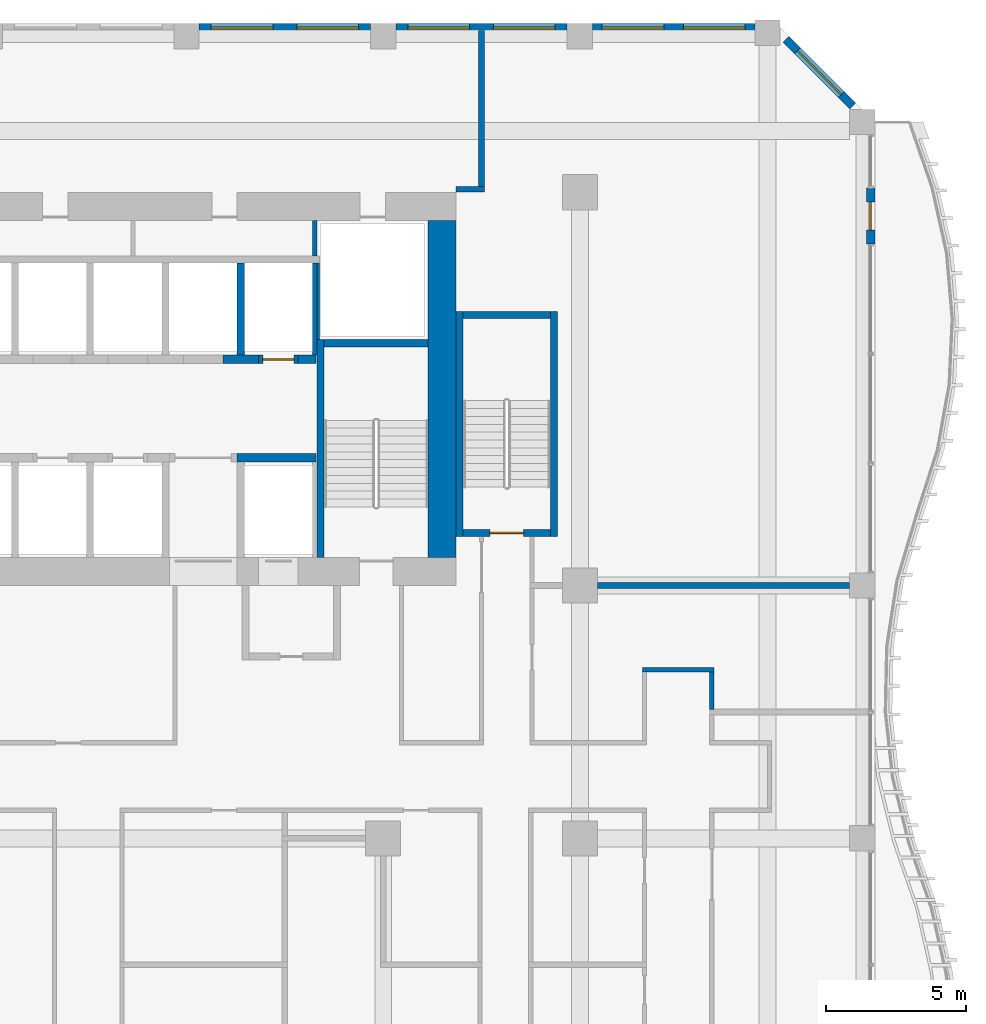
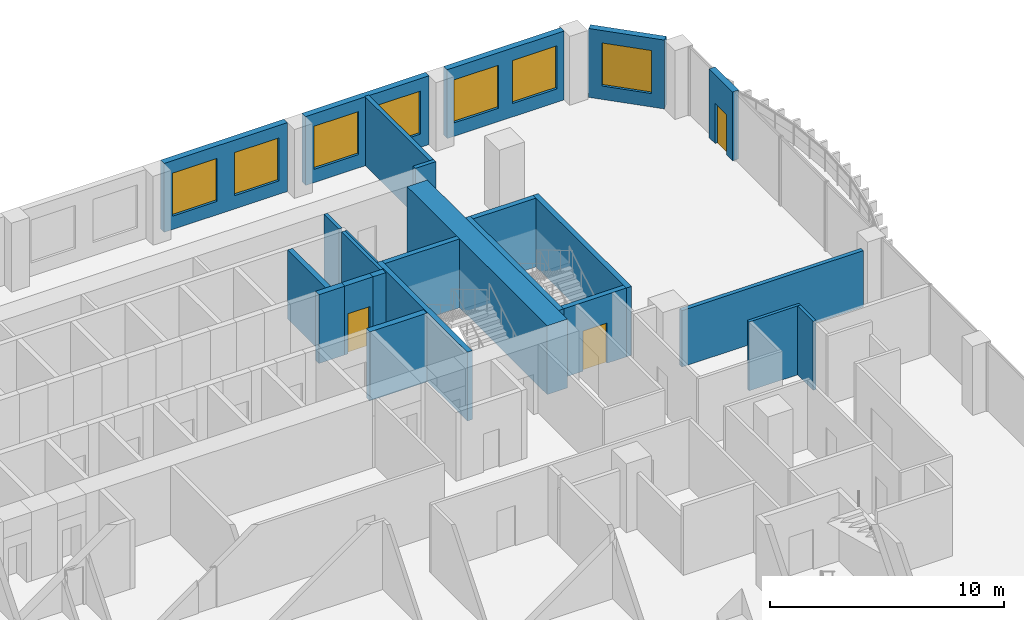
# One storey, part 17 of 21: 25 walls, 7 windows, 3 doors, 10 openings.
"""IFC4 building model written with IfcOpenShell, lengths in metres."""

from ifc_helpers import new_model, si_unit, direction, frame, frame_2d, origin, place, context, subcontext, project, spatial, rectangle, extrude, source, transform, mapped, material, layer, layer_set, type_object, element, fill, save


model = new_model("IFC4")

# Units and contexts
model_context = context("Model", 3, precision=1e-05, world=origin(), true_north=direction((0.0, 1.0)))
body_context = subcontext(model_context, "Body", "Model", "MODEL_VIEW")
ifc_project = project(units=[si_unit("LENGTHUNIT", "METRE"), si_unit("AREAUNIT", "SQUARE_METRE"), si_unit("VOLUMEUNIT", "CUBIC_METRE"), si_unit("PLANEANGLEUNIT", "RADIAN"), si_unit("MASSUNIT", "GRAM", prefix="KILO")], contexts=[model_context])

# Site, building, storey
site_placement = place(None, origin())
site = spatial("IfcSite", under=ifc_project, at=site_placement, CompositionType="ELEMENT")
building_placement = place(site_placement, origin())
building = spatial("IfcBuilding", under=site, at=building_placement, Name="Kilnfold Tower and Market Hall", CompositionType="ELEMENT")
storey_placement = place(building_placement, frame((0.0, 0.0, 91.199951171875)))
storey = spatial("IfcBuildingStorey", under=building, at=storey_placement, Name="L21", CompositionType="ELEMENT", Elevation=91.199951171875)

# Walls
ifc_material_1 = material(Name="Gypsum board on steel studs", Category="steel")
ifc_layer_1 = layer(ifc_material_1, 0.14990234375)
ifc_layer_set_1 = layer_set([ifc_layer_1], Name="Gypsum board on steel studs")
wall_type_1 = type_object("IfcWallType", Name="WALL CORRIDOR 150", PredefinedType="PARTITIONING", material=ifc_layer_set_1)
wall_1_placement = place(storey_placement, frame((27.27490234375, 5.0, 0.0), z_axis=(0.0, 0.0, 1.0), x_axis=(-1.0, 0.0, 0.0)))
element("IfcWall", 1, at=wall_1_placement, inside=storey, type_object=wall_type_1, Name="Partition LY14.38", PredefinedType="PARTITIONING", context=body_context, shape_type="SweptSolid", body=[
    extrude(rectangle(XDim=2.5498046875, YDim=0.14990234375, at=frame_2d((1.27490234375, 0.0))), origin(), (0.0, 0.0, 1.0), 3.60009765625),
])
wall_2_placement = place(storey_placement, frame((27.199951171875, 3.590087890625, 0.0), z_axis=(0.0, 0.0, 1.0), x_axis=(0.0, 1.0, 0.0)))
element("IfcWall", 2, at=wall_2_placement, inside=storey, type_object=wall_type_1, Name="Partition LY14.39", PredefinedType="PARTITIONING", context=body_context, shape_type="SweptSolid", body=[
    extrude(rectangle(XDim=1.3349609375, YDim=0.14990234375, at=frame_2d((0.66748046875, 0.0))), origin(), (0.0, 0.0, 1.0), 3.60009765625),
])
ifc_material_2 = material(Name="Gypsum board on steel studs", Category="steel")
ifc_layer_2 = layer(ifc_material_2, 0.199951171875)
ifc_layer_set_2 = layer_set([ifc_layer_2], Name="Gypsum board on steel studs")
wall_type_2 = type_object("IfcWallType", Name="WALL PARTY 200", PredefinedType="PARTITIONING", material=ifc_layer_set_2)
wall_3_placement = place(storey_placement, frame((19.0, 22.199951171875, 0.0), z_axis=(0.0, 0.0, 1.0), x_axis=(0.0, 1.0, 0.0)))
element("IfcWall", 3, at=wall_3_placement, inside=storey, type_object=wall_type_2, Name="Partition LY14.54", PredefinedType="PARTITIONING", context=body_context, shape_type="SweptSolid", body=[
    extrude(rectangle(XDim=5.550048828125, YDim=0.199951171875, at=frame_2d((2.77490234375, 0.0))), origin(), (0.0, 0.0, 1.0), 3.60009765625),
])
wall_4_placement = place(storey_placement, frame((18.090087890625, 22.10009765625, 0.0), z_axis=(0.0, 0.0, 1.0), x_axis=(1.0, 0.0, 0.0)))
element("IfcWall", 4, at=wall_4_placement, inside=storey, type_object=wall_type_2, Name="Partition LY14.55", PredefinedType="PARTITIONING", context=body_context, shape_type="SweptSolid", body=[
    extrude(rectangle(XDim=1.010009765625, YDim=0.199951171875, at=frame_2d((0.5048828125, 0.0))), origin(), (0.0, 0.0, 1.0), 3.60009765625),
])
wall_5_placement = place(storey_placement, frame((23.125, 8.0, 0.0), z_axis=(0.0, 0.0, 1.0), x_axis=(1.0, 0.0, 0.0)))
element("IfcWall", 5, at=wall_5_placement, inside=storey, type_object=wall_type_2, Name="Partition LY14.74", PredefinedType="PARTITIONING", context=body_context, shape_type="SweptSolid", body=[
    extrude(rectangle(XDim=8.97509765625, YDim=0.199951171875, at=frame_2d((4.487548828125, 0.0))), origin(), (0.0, 0.0, 1.0), 2.949951171875),
])
ifc_material_3 = material(Name="Concrete C80", Category="concrete")
ifc_layer_3 = layer(ifc_material_3, 1.0)
ifc_layer_set_3 = layer_set([ifc_layer_3], Name="Concrete C80")
wall_type_3 = type_object("IfcWallType", Name="CORE WALL 1000 C80", PredefinedType="SHEAR", material=ifc_layer_set_3)
shared_shape_1 = source(origin(), body_context, "Body", "SweptSolid", [
    extrude(rectangle(XDim=12.0, YDim=1.0, at=frame_2d((6.0, 0.0))), origin(), (0.0, 0.0, 1.0), 3.60009765625),
])
wall_6_placement = place(storey_placement, frame((17.60009765625, 9.0, 0.0), z_axis=(0.0, 0.0, 1.0), x_axis=(0.0, 1.0, 0.0)))
element("IfcWall", 6, at=wall_6_placement, inside=storey, type_object=wall_type_3, Name="Core outer wall east", PredefinedType="SHEAR", context=body_context, shape_type="MappedRepresentation", body=[
    mapped(shared_shape_1, transform((0.0, 0.0, 0.0))),
])
ifc_material_4 = material(Name="Concrete C80", Category="concrete")
ifc_layer_4 = layer(ifc_material_4, 0.25)
ifc_layer_set_4 = layer_set([ifc_layer_4], Name="Concrete C80")
wall_type_4 = type_object("IfcWallType", Name="CORE WALL 250 C80", PredefinedType="SHEAR", material=ifc_layer_set_4)
shared_shape_2 = source(origin(), body_context, "Body", "SweptSolid", [
    extrude(rectangle(XDim=7.75, YDim=0.25, at=frame_2d((3.875, 0.0))), origin(), (0.0, 0.0, 1.0), 3.60009765625),
])
wall_7_placement = place(storey_placement, frame((13.27490234375, 9.0, 0.0), z_axis=(0.0, 0.0, 1.0), x_axis=(0.0, 1.0, 0.0)))
element("IfcWall", 7, at=wall_7_placement, inside=storey, type_object=wall_type_4, Name="Stair enclosure ST2", PredefinedType="SHEAR", context=body_context, shape_type="MappedRepresentation", body=[
    mapped(shared_shape_2, transform((0.0, 0.0, 0.0))),
])
shared_shape_3 = source(origin(), body_context, "Body", "SweptSolid", [
    extrude(rectangle(XDim=3.7001953125, YDim=0.25, at=frame_2d((1.85009765625, 0.0))), origin(), (0.0, 0.0, 1.0), 3.60009765625),
])
wall_8_placement = place(storey_placement, frame((13.39990234375, 16.625, 0.0), z_axis=(0.0, 0.0, 1.0), x_axis=(1.0, 0.0, 0.0)))
element("IfcWall", 8, at=wall_8_placement, inside=storey, type_object=wall_type_4, Name="Stair enclosure ST2", PredefinedType="SHEAR", context=body_context, shape_type="MappedRepresentation", body=[
    mapped(shared_shape_3, transform((0.0, 0.0, 0.0))),
])
shared_shape_4 = source(origin(), body_context, "Body", "SweptSolid", [
    extrude(rectangle(XDim=8.0, YDim=0.25, at=frame_2d((4.0, 0.0))), origin(), (0.0, 0.0, 1.0), 3.60009765625),
])
for number, where, z_axis, x_axis, name in (
    (9, (18.22509765625, 9.75, 0.0), (0.0, 0.0, 1.0), (0.0, 1.0, 0.0), "Stair enclosure ST5"),
    (10, (21.574951171875, 9.75, 0.0), (0.0, 0.0, 1.0), (0.0, 1.0, 0.0), "Stair enclosure ST5"),
):
    element("IfcWall", number, at=place(storey_placement, frame(where, z_axis=z_axis, x_axis=x_axis)), inside=storey, type_object=wall_type_4, Name=name, PredefinedType="SHEAR", context=body_context, shape_type="MappedRepresentation", body=[
        mapped(shared_shape_4, transform((0.0, 0.0, 0.0))),
    ])

# Wall, opening, door
shared_shape_5 = source(origin(), body_context, "Body", "SweptSolid", [
    extrude(rectangle(XDim=3.099853515625, YDim=0.25, at=frame_2d((1.5498046875, 0.0))), origin(), (0.0, 0.0, 1.0), 3.60009765625),
])
wall_9_placement = place(storey_placement, frame((18.35009765625, 9.875, 0.0), z_axis=(0.0, 0.0, 1.0), x_axis=(1.0, 0.0, 0.0)))
wall_9 = element("IfcWall", 11, at=wall_9_placement, inside=storey, type_object=wall_type_4, Name="Stair enclosure ST5", PredefinedType="SHEAR", context=body_context, shape_type="MappedRepresentation", body=[
    mapped(shared_shape_5, transform((0.0, 0.0, 0.0))),
])
opening_1_placement = place(wall_9_placement, frame((0.949951171875, 0.0, 0.0)))
opening_1 = element("IfcOpeningElement", 12, at=opening_1_placement, cuts=wall_9, Name="Opening SD1", PredefinedType="OPENING", context=body_context, shape_type="SweptSolid", body=[
    extrude(rectangle(XDim=1.199951171875, YDim=2.10009765625, at=frame_2d((0.60009765625, 1.050048828125))), frame((0.0, 0.135009765625, 0.0), z_axis=(0.0, -1.0, 0.0), x_axis=(1.0, 0.0, 0.0)), (0.0, 0.0, 1.0), 0.27001953125),
])
ifc_material_5 = material(Name="Steel door set with fire-resisting leaf", Category="steel")
door_type_1 = type_object("IfcDoorType", Name="STAIR FLOOR DOOR 1200X2100", OperationType="NOTDEFINED", PredefinedType="DOOR", material=ifc_material_5)
door_1_placement = place(opening_1_placement, origin())
door_1 = element("IfcDoor", 13, at=door_1_placement, inside=storey, type_object=door_type_1, Name="Exit stair ST5 door", OperationType="DOUBLE_DOOR_SINGLE_SWING", OverallHeight=2.10009765625, OverallWidth=1.199951171875, PredefinedType="DOOR", context=body_context, shape_type="SweptSolid", body=[
    extrude(rectangle(XDim=1.199951171875, YDim=2.10009765625, at=frame_2d((0.60009765625, 1.050048828125))), frame((0.0, 0.02490234375, 0.0), z_axis=(0.0, -1.0, 0.0), x_axis=(1.0, 0.0, 0.0)), (0.0, 0.0, 1.0), 0.050048828125),
])
fill(opening_1, door_1)

# Walls
wall_10_placement = place(storey_placement, frame((18.35009765625, 17.625, 0.0), z_axis=(0.0, 0.0, 1.0), x_axis=(1.0, 0.0, 0.0)))
element("IfcWall", 14, at=wall_10_placement, inside=storey, type_object=wall_type_4, Name="Stair enclosure ST5", PredefinedType="SHEAR", context=body_context, shape_type="MappedRepresentation", body=[
    mapped(shared_shape_5, transform((0.0, 0.0, 0.0))),
])
ifc_material_6 = material(Name="Concrete C80", Category="concrete")
ifc_layer_5 = layer(ifc_material_6, 0.300048828125)
ifc_layer_set_5 = layer_set([ifc_layer_5], Name="Concrete C80")
wall_type_5 = type_object("IfcWallType", Name="CORE WALL 300 C80", PredefinedType="SHEAR", material=ifc_layer_set_5)
shared_shape_6 = source(origin(), body_context, "Body", "SweptSolid", [
    extrude(rectangle(XDim=1.280029296875, YDim=0.300048828125, at=frame_2d((0.64013671875, 0.0))), origin(), (0.0, 0.0, 1.0), 3.60009765625),
])
wall_11_placement = place(storey_placement, frame((9.7900390625, 16.050048828125, 0.0), z_axis=(0.0, 0.0, 1.0), x_axis=(1.0, 0.0, 0.0)))
element("IfcWall", 15, at=wall_11_placement, inside=storey, type_object=wall_type_5, Name="Core spine wall", PredefinedType="SHEAR", context=body_context, shape_type="MappedRepresentation", body=[
    mapped(shared_shape_6, transform((0.0, 0.0, 0.0))),
])
shared_shape_7 = source(origin(), body_context, "Body", "SweptSolid", [
    extrude(rectangle(XDim=2.820068359375, YDim=0.300048828125, at=frame_2d((1.41015625, 0.0))), origin(), (0.0, 0.0, 1.0), 3.60009765625),
])
wall_12_placement = place(storey_placement, frame((10.2900390625, 12.550048828125, 0.0), z_axis=(0.0, 0.0, 1.0), x_axis=(1.0, 0.0, 0.0)))
element("IfcWall", 16, at=wall_12_placement, inside=storey, type_object=wall_type_5, Name="Core spine wall", PredefinedType="SHEAR", context=body_context, shape_type="MappedRepresentation", body=[
    mapped(shared_shape_7, transform((0.0, 0.0, 0.0))),
])
shared_shape_8 = source(origin(), body_context, "Body", "SweptSolid", [
    extrude(rectangle(XDim=0.64013671875, YDim=0.300048828125, at=frame_2d((0.320068359375, 0.0))), origin(), (0.0, 0.0, 1.0), 3.60009765625),
])
wall_13_placement = place(storey_placement, frame((12.469970703125, 16.050048828125, 0.0), z_axis=(0.0, 0.0, 1.0), x_axis=(1.0, 0.0, 0.0)))
element("IfcWall", 17, at=wall_13_placement, inside=storey, type_object=wall_type_5, Name="Core spine wall", PredefinedType="SHEAR", context=body_context, shape_type="MappedRepresentation", body=[
    mapped(shared_shape_8, transform((0.0, 0.0, 0.0))),
])

# Wall, opening, door
ifc_material_7 = material(Name="Precast concrete C50/60", Category="concrete")
ifc_layer_6 = layer(ifc_material_7, 0.300048828125)
ifc_layer_set_6 = layer_set([ifc_layer_6], Name="Precast concrete C50/60")
wall_type_6 = type_object("IfcWallType", Name="PRECAST WALL 300", PredefinedType="SOLIDWALL", material=ifc_layer_set_6)
shared_shape_9 = source(origin(), body_context, "Body", "SweptSolid", [
    extrude(rectangle(XDim=2.0, YDim=0.300048828125, at=frame_2d((1.0, 0.0))), origin(), (0.0, 0.0, 1.0), 3.60009765625),
])
wall_14_placement = place(storey_placement, frame((32.85009765625, 20.14990234375, 0.0), z_axis=(0.0, 0.0, 1.0), x_axis=(0.0, 1.0, 0.0)))
wall_14 = element("IfcWall", 18, at=wall_14_placement, inside=storey, type_object=wall_type_6, Name="External wall L21 E", PredefinedType="SOLIDWALL", context=body_context, shape_type="MappedRepresentation", body=[
    mapped(shared_shape_9, transform((0.0, 0.0, 0.0))),
])
opening_2_placement = place(wall_14_placement, frame((0.5, 0.0, 0.0)))
opening_2 = element("IfcOpeningElement", 19, at=opening_2_placement, cuts=wall_14, Name="Opening BD1", PredefinedType="OPENING", context=body_context, shape_type="SweptSolid", body=[
    extrude(rectangle(XDim=1.0, YDim=2.10009765625, at=frame_2d((0.5, 1.050048828125))), frame((0.0, 0.16015625, 0.0), z_axis=(0.0, -1.0, 0.0), x_axis=(1.0, 0.0, 0.0)), (0.0, 0.0, 1.0), 0.320068359375),
])
ifc_material_8 = material(Name="Aluminium frame and double glazing", Category="aluminium")
door_type_2 = type_object("IfcDoorType", Name="BALCONY DOOR 1000X2100", OperationType="NOTDEFINED", PredefinedType="DOOR", material=ifc_material_8)
door_2_placement = place(opening_2_placement, origin())
door_2 = element("IfcDoor", 20, at=door_2_placement, inside=storey, type_object=door_type_2, Name="Balcony door BD1 L21 E-4", OperationType="SINGLE_SWING_RIGHT", OverallHeight=2.10009765625, OverallWidth=1.0, PredefinedType="DOOR", context=body_context, shape_type="SweptSolid", body=[
    extrude(rectangle(XDim=1.0, YDim=2.10009765625, at=frame_2d((0.5, 1.050048828125))), frame((0.0, 0.02490234375, 0.0), z_axis=(0.0, -1.0, 0.0), x_axis=(1.0, 0.0, 0.0)), (0.0, 0.0, 1.0), 0.050048828125),
])
fill(opening_2, door_2)

# Wall, opening, window
shared_shape_10 = source(origin(), body_context, "Body", "SweptSolid", [
    extrude(rectangle(XDim=3.35888671875, YDim=0.300048828125, at=frame_2d((1.679443359375, 0.0))), origin(), (0.0, 0.0, 1.0), 3.60009765625),
])
wall_15_placement = place(storey_placement, frame((32.218994140625, 25.06884765625, 0.0), z_axis=(0.0, 0.0, 1.0), x_axis=(-0.707070438228, 0.707143122278, 0.0)))
wall_15 = element("IfcWall", 21, at=wall_15_placement, inside=storey, type_object=wall_type_6, Name="External wall L21 NE", PredefinedType="SOLIDWALL", context=body_context, shape_type="MappedRepresentation", body=[
    mapped(shared_shape_10, transform((0.0, 0.0, 0.0))),
])
opening_3_placement = place(wall_15_placement, frame((0.579345703125, 0.0, 0.699951171875)))
opening_3 = element("IfcOpeningElement", 22, at=opening_3_placement, cuts=wall_15, Name="Opening W1", PredefinedType="OPENING", context=body_context, shape_type="SweptSolid", body=[
    extrude(rectangle(XDim=2.199951171875, YDim=2.25, at=frame_2d((1.10009765625, 1.125))), frame((0.0, 0.16015625, 0.0), z_axis=(0.0, -1.0, 0.0), x_axis=(1.0, 0.0, 0.0)), (0.0, 0.0, 1.0), 0.320068359375),
])
ifc_material_9 = material(Name="Aluminium frame and double glazing", Category="aluminium")
window_type = type_object("IfcWindowType", Name="WINDOW W1 2200X2250", PartitioningType="SINGLE_PANEL", PredefinedType="WINDOW", material=ifc_material_9)
window_1_placement = place(opening_3_placement, origin())
window_1 = element("IfcWindow", 23, at=window_1_placement, inside=storey, type_object=window_type, Name="Window W1 L21 NE-1", OverallHeight=2.25, OverallWidth=2.199951171875, PartitioningType="SINGLE_PANEL", PredefinedType="WINDOW", context=body_context, shape_type="SweptSolid", body=[
    extrude(rectangle(XDim=2.199951171875, YDim=2.25, at=frame_2d((1.10009765625, 1.125))), frame((0.0, 0.030029296875, 0.0), z_axis=(0.0, -1.0, 0.0), x_axis=(1.0, 0.0, 0.0)), (0.0, 0.0, 1.0), 0.06005859375),
])
fill(opening_3, window_1)

# Wall, openings, windows
shared_shape_11 = source(origin(), body_context, "Body", "SweptSolid", [
    extrude(rectangle(XDim=5.78173828125, YDim=0.300048828125, at=frame_2d((2.890869140625, 0.0))), origin(), (0.0, 0.0, 1.0), 3.60009765625),
])
wall_16_placement = place(storey_placement, frame((28.731689453125, 27.85009765625, 0.0), z_axis=(0.0, 0.0, 1.0), x_axis=(-1.0, 0.0, 0.0)))
wall_16 = element("IfcWall", 24, at=wall_16_placement, inside=storey, type_object=wall_type_6, Name="External wall L21 N", PredefinedType="SOLIDWALL", context=body_context, shape_type="MappedRepresentation", body=[
    mapped(shared_shape_11, transform((0.0, 0.0, 0.0))),
])
opening_4_placement = place(wall_16_placement, frame((0.345458984375, 0.0, 0.699951171875)))
opening_4 = element("IfcOpeningElement", 25, at=opening_4_placement, cuts=wall_16, Name="Opening W1", PredefinedType="OPENING", context=body_context, shape_type="SweptSolid", body=[
    extrude(rectangle(XDim=2.199951171875, YDim=2.25, at=frame_2d((1.10009765625, 1.125))), frame((0.0, 0.16015625, 0.0), z_axis=(0.0, -1.0, 0.0), x_axis=(1.0, 0.0, 0.0)), (0.0, 0.0, 1.0), 0.320068359375),
])
opening_5_placement = place(wall_16_placement, frame((3.236328125, 0.0, 0.699951171875)))
opening_5 = element("IfcOpeningElement", 26, at=opening_5_placement, cuts=wall_16, Name="Opening W1", PredefinedType="OPENING", context=body_context, shape_type="SweptSolid", body=[
    extrude(rectangle(XDim=2.199951171875, YDim=2.25, at=frame_2d((1.10009765625, 1.125))), frame((0.0, 0.16015625, 0.0), z_axis=(0.0, -1.0, 0.0), x_axis=(1.0, 0.0, 0.0)), (0.0, 0.0, 1.0), 0.320068359375),
])
window_2_placement = place(opening_4_placement, origin())
window_2 = element("IfcWindow", 27, at=window_2_placement, inside=storey, type_object=window_type, Name="Window W1 L21 N-1", OverallHeight=2.25, OverallWidth=2.199951171875, PartitioningType="SINGLE_PANEL", PredefinedType="WINDOW", context=body_context, shape_type="SweptSolid", body=[
    extrude(rectangle(XDim=2.199951171875, YDim=2.25, at=frame_2d((1.10009765625, 1.125))), frame((0.0, 0.030029296875, 0.0), z_axis=(0.0, -1.0, 0.0), x_axis=(1.0, 0.0, 0.0)), (0.0, 0.0, 1.0), 0.06005859375),
])
fill(opening_4, window_2)
window_3_placement = place(opening_5_placement, origin())
window_3 = element("IfcWindow", 28, at=window_3_placement, inside=storey, type_object=window_type, Name="Window W1 L21 N-2", OverallHeight=2.25, OverallWidth=2.199951171875, PartitioningType="SINGLE_PANEL", PredefinedType="WINDOW", context=body_context, shape_type="SweptSolid", body=[
    extrude(rectangle(XDim=2.199951171875, YDim=2.25, at=frame_2d((1.10009765625, 1.125))), frame((0.0, 0.030029296875, 0.0), z_axis=(0.0, -1.0, 0.0), x_axis=(1.0, 0.0, 0.0)), (0.0, 0.0, 1.0), 0.06005859375),
])
fill(opening_5, window_3)

shared_shape_12 = source(origin(), body_context, "Body", "SweptSolid", [
    extrude(rectangle(XDim=6.10009765625, YDim=0.300048828125, at=frame_2d((3.050048828125, 0.0))), origin(), (0.0, 0.0, 1.0), 3.60009765625),
])
wall_17_placement = place(storey_placement, frame((22.050048828125, 27.85009765625, 0.0), z_axis=(0.0, 0.0, 1.0), x_axis=(-1.0, 0.0, 0.0)))
wall_17 = element("IfcWall", 29, at=wall_17_placement, inside=storey, type_object=wall_type_6, Name="External wall L21 N", PredefinedType="SOLIDWALL", context=body_context, shape_type="MappedRepresentation", body=[
    mapped(shared_shape_12, transform((0.0, 0.0, 0.0))),
])
opening_6_placement = place(wall_17_placement, frame((0.425048828125, 0.0, 0.699951171875)))
opening_6 = element("IfcOpeningElement", 30, at=opening_6_placement, cuts=wall_17, Name="Opening W1", PredefinedType="OPENING", context=body_context, shape_type="SweptSolid", body=[
    extrude(rectangle(XDim=2.199951171875, YDim=2.25, at=frame_2d((1.10009765625, 1.125))), frame((0.0, 0.16015625, 0.0), z_axis=(0.0, -1.0, 0.0), x_axis=(1.0, 0.0, 0.0)), (0.0, 0.0, 1.0), 0.320068359375),
])
opening_7_placement = place(wall_17_placement, frame((3.47509765625, 0.0, 0.699951171875)))
opening_7 = element("IfcOpeningElement", 31, at=opening_7_placement, cuts=wall_17, Name="Opening W1", PredefinedType="OPENING", context=body_context, shape_type="SweptSolid", body=[
    extrude(rectangle(XDim=2.199951171875, YDim=2.25, at=frame_2d((1.10009765625, 1.125))), frame((0.0, 0.16015625, 0.0), z_axis=(0.0, -1.0, 0.0), x_axis=(1.0, 0.0, 0.0)), (0.0, 0.0, 1.0), 0.320068359375),
])
window_4_placement = place(opening_6_placement, origin())
window_4 = element("IfcWindow", 32, at=window_4_placement, inside=storey, type_object=window_type, Name="Window W1 L21 N-1", OverallHeight=2.25, OverallWidth=2.199951171875, PartitioningType="SINGLE_PANEL", PredefinedType="WINDOW", context=body_context, shape_type="SweptSolid", body=[
    extrude(rectangle(XDim=2.199951171875, YDim=2.25, at=frame_2d((1.10009765625, 1.125))), frame((0.0, 0.030029296875, 0.0), z_axis=(0.0, -1.0, 0.0), x_axis=(1.0, 0.0, 0.0)), (0.0, 0.0, 1.0), 0.06005859375),
])
fill(opening_6, window_4)
window_5_placement = place(opening_7_placement, origin())
window_5 = element("IfcWindow", 33, at=window_5_placement, inside=storey, type_object=window_type, Name="Window W1 L21 N-2", OverallHeight=2.25, OverallWidth=2.199951171875, PartitioningType="SINGLE_PANEL", PredefinedType="WINDOW", context=body_context, shape_type="SweptSolid", body=[
    extrude(rectangle(XDim=2.199951171875, YDim=2.25, at=frame_2d((1.10009765625, 1.125))), frame((0.0, 0.030029296875, 0.0), z_axis=(0.0, -1.0, 0.0), x_axis=(1.0, 0.0, 0.0)), (0.0, 0.0, 1.0), 0.06005859375),
])
fill(opening_7, window_5)

wall_18_placement = place(storey_placement, frame((15.050048828125, 27.85009765625, 0.0), z_axis=(0.0, 0.0, 1.0), x_axis=(-1.0, 0.0, 0.0)))
wall_18 = element("IfcWall", 34, at=wall_18_placement, inside=storey, type_object=wall_type_6, Name="External wall L21 N", PredefinedType="SOLIDWALL", context=body_context, shape_type="MappedRepresentation", body=[
    mapped(shared_shape_12, transform((0.0, 0.0, 0.0))),
])
opening_8_placement = place(wall_18_placement, frame((0.425048828125, 0.0, 0.699951171875)))
opening_8 = element("IfcOpeningElement", 35, at=opening_8_placement, cuts=wall_18, Name="Opening W1", PredefinedType="OPENING", context=body_context, shape_type="SweptSolid", body=[
    extrude(rectangle(XDim=2.199951171875, YDim=2.25, at=frame_2d((1.10009765625, 1.125))), frame((0.0, 0.16015625, 0.0), z_axis=(0.0, -1.0, 0.0), x_axis=(1.0, 0.0, 0.0)), (0.0, 0.0, 1.0), 0.320068359375),
])
opening_9_placement = place(wall_18_placement, frame((3.47509765625, 0.0, 0.699951171875)))
opening_9 = element("IfcOpeningElement", 36, at=opening_9_placement, cuts=wall_18, Name="Opening W1", PredefinedType="OPENING", context=body_context, shape_type="SweptSolid", body=[
    extrude(rectangle(XDim=2.199951171875, YDim=2.25, at=frame_2d((1.10009765625, 1.125))), frame((0.0, 0.16015625, 0.0), z_axis=(0.0, -1.0, 0.0), x_axis=(1.0, 0.0, 0.0)), (0.0, 0.0, 1.0), 0.320068359375),
])
window_6_placement = place(opening_8_placement, origin())
window_6 = element("IfcWindow", 37, at=window_6_placement, inside=storey, type_object=window_type, Name="Window W1 L21 N-1", OverallHeight=2.25, OverallWidth=2.199951171875, PartitioningType="SINGLE_PANEL", PredefinedType="WINDOW", context=body_context, shape_type="SweptSolid", body=[
    extrude(rectangle(XDim=2.199951171875, YDim=2.25, at=frame_2d((1.10009765625, 1.125))), frame((0.0, 0.030029296875, 0.0), z_axis=(0.0, -1.0, 0.0), x_axis=(1.0, 0.0, 0.0)), (0.0, 0.0, 1.0), 0.06005859375),
])
fill(opening_8, window_6)
window_7_placement = place(opening_9_placement, origin())
window_7 = element("IfcWindow", 38, at=window_7_placement, inside=storey, type_object=window_type, Name="Window W1 L21 N-2", OverallHeight=2.25, OverallWidth=2.199951171875, PartitioningType="SINGLE_PANEL", PredefinedType="WINDOW", context=body_context, shape_type="SweptSolid", body=[
    extrude(rectangle(XDim=2.199951171875, YDim=2.25, at=frame_2d((1.10009765625, 1.125))), frame((0.0, 0.030029296875, 0.0), z_axis=(0.0, -1.0, 0.0), x_axis=(1.0, 0.0, 0.0)), (0.0, 0.0, 1.0), 0.06005859375),
])
fill(opening_9, window_7)

# Wall, opening, door
ifc_material_10 = material(Name="Gypsum shaft wall system")
ifc_layer_7 = layer(ifc_material_10, 0.300048828125)
ifc_layer_set_7 = layer_set([ifc_layer_7], Name="Gypsum shaft wall system")
wall_type_7 = type_object("IfcWallType", Name="SHAFT WALL 300", PredefinedType="PARTITIONING", material=ifc_layer_set_7)
shared_shape_13 = source(origin(), body_context, "Body", "SweptSolid", [
    extrude(rectangle(XDim=1.39990234375, YDim=0.300048828125, at=frame_2d((0.699951171875, 0.0))), origin(), (0.0, 0.0, 1.0), 3.60009765625),
])
wall_19_placement = place(storey_placement, frame((11.070068359375, 16.050048828125, 0.0), z_axis=(0.0, 0.0, 1.0), x_axis=(1.0, 0.0, 0.0)))
wall_19 = element("IfcWall", 39, at=wall_19_placement, inside=storey, type_object=wall_type_7, Name="Lift shaft front wall", PredefinedType="PARTITIONING", context=body_context, shape_type="MappedRepresentation", body=[
    mapped(shared_shape_13, transform((0.0, 0.0, 0.0))),
])
opening_10_placement = place(wall_19_placement, frame((0.14990234375, 0.0, 0.0)))
opening_10 = element("IfcOpeningElement", 40, at=opening_10_placement, cuts=wall_19, Name="Opening LD2", PredefinedType="OPENING", context=body_context, shape_type="SweptSolid", body=[
    extrude(rectangle(XDim=1.10009765625, YDim=2.10009765625, at=frame_2d((0.550048828125, 1.050048828125))), frame((0.0, 0.16015625, 0.0), z_axis=(0.0, -1.0, 0.0), x_axis=(1.0, 0.0, 0.0)), (0.0, 0.0, 1.0), 0.320068359375),
])
ifc_material_11 = material(Name="Steel door set with fire-resisting leaf", Category="steel")
door_type_3 = type_object("IfcDoorType", Name="LANDING DOOR 1100X2100", OperationType="NOTDEFINED", PredefinedType="DOOR", material=ifc_material_11)
door_3_placement = place(opening_10_placement, origin())
door_3 = element("IfcDoor", 41, at=door_3_placement, inside=storey, type_object=door_type_3, Name="Landing door LR6", OperationType="DOUBLE_DOOR_SLIDING", OverallHeight=2.10009765625, OverallWidth=1.10009765625, PredefinedType="DOOR", context=body_context, shape_type="SweptSolid", body=[
    extrude(rectangle(XDim=1.10009765625, YDim=2.10009765625, at=frame_2d((0.550048828125, 1.050048828125))), frame((0.0, 0.02490234375, 0.0), z_axis=(0.0, -1.0, 0.0), x_axis=(1.0, 0.0, 0.0)), (0.0, 0.0, 1.0), 0.050048828125),
])
fill(opening_10, door_3)

# Walls
ifc_material_12 = material(Name="Gypsum shaft wall system")
ifc_layer_8 = layer(ifc_material_12, 0.1650390625)
ifc_layer_set_8 = layer_set([ifc_layer_8], Name="Gypsum shaft wall system")
wall_type_8 = type_object("IfcWallType", Name="SHAFT WALL 165", PredefinedType="PARTITIONING", material=ifc_layer_set_8)
shared_shape_14 = source(origin(), body_context, "Body", "SweptSolid", [
    extrude(rectangle(XDim=3.275146484375, YDim=0.1650390625, at=frame_2d((1.6376953125, 0.0))), origin(), (0.0, 0.0, 1.0), 3.60009765625),
])
wall_20_placement = place(storey_placement, frame((13.0673828125, 16.199951171875, 0.0), z_axis=(0.0, 0.0, 1.0), x_axis=(0.0, 1.0, 0.0)))
element("IfcWall", 42, at=wall_20_placement, inside=storey, type_object=wall_type_8, Name="Lift shaft wall", PredefinedType="PARTITIONING", context=body_context, shape_type="MappedRepresentation", body=[
    mapped(shared_shape_14, transform((0.0, 0.0, 0.0))),
])
shared_shape_15 = source(origin(), body_context, "Body", "SweptSolid", [
    extrude(rectangle(XDim=1.27490234375, YDim=0.1650390625, at=frame_2d((0.637451171875, 0.0))), origin(), (0.0, 0.0, 1.0), 3.60009765625),
])
wall_21_placement = place(storey_placement, frame((13.0673828125, 19.72509765625, 0.0), z_axis=(0.0, 0.0, 1.0), x_axis=(0.0, 1.0, 0.0)))
element("IfcWall", 43, at=wall_21_placement, inside=storey, type_object=wall_type_8, Name="Lift shaft wall", PredefinedType="PARTITIONING", context=body_context, shape_type="MappedRepresentation", body=[
    mapped(shared_shape_15, transform((0.0, 0.0, 0.0))),
])
ifc_material_13 = material(Name="Gypsum shaft wall system")
ifc_layer_9 = layer(ifc_material_13, 0.25)
ifc_layer_set_9 = layer_set([ifc_layer_9], Name="Gypsum shaft wall system")
wall_type_9 = type_object("IfcWallType", Name="SHAFT WALL 250", PredefinedType="PARTITIONING", material=ifc_layer_set_9)
shared_shape_16 = source(origin(), body_context, "Body", "SweptSolid", [
    extrude(rectangle(XDim=3.275146484375, YDim=0.25, at=frame_2d((1.6376953125, 0.0))), origin(), (0.0, 0.0, 1.0), 3.60009765625),
])
wall_22_placement = place(storey_placement, frame((10.429931640625, 16.199951171875, 0.0), z_axis=(0.0, 0.0, 1.0), x_axis=(0.0, 1.0, 0.0)))
element("IfcWall", 44, at=wall_22_placement, inside=storey, type_object=wall_type_9, Name="Lift shaft wall", PredefinedType="PARTITIONING", context=body_context, shape_type="MappedRepresentation", body=[
    mapped(shared_shape_16, transform((0.0, 0.0, 0.0))),
])
ifc_material_14 = material(Name="Gypsum shaft wall system")
ifc_layer_10 = layer(ifc_material_14, 0.0849609375)
ifc_layer_set_10 = layer_set([ifc_layer_10], Name="Gypsum shaft wall system")
wall_type_10 = type_object("IfcWallType", Name="SHAFT WALL 85", PredefinedType="PARTITIONING", material=ifc_layer_set_10)
shared_shape_17 = source(origin(), body_context, "Body", "SweptSolid", [
    extrude(rectangle(XDim=2.72509765625, YDim=0.0849609375, at=frame_2d((1.362548828125, 0.0))), origin(), (0.0, 0.0, 1.0), 3.60009765625),
])
wall_23_placement = place(storey_placement, frame((13.1923828125, 16.75, 0.0), z_axis=(0.0, 0.0, 1.0), x_axis=(0.0, 1.0, 0.0)))
element("IfcWall", 45, at=wall_23_placement, inside=storey, type_object=wall_type_10, Name="Lift shaft wall", PredefinedType="PARTITIONING", context=body_context, shape_type="MappedRepresentation", body=[
    mapped(shared_shape_17, transform((0.0, 0.0, 0.0))),
])

save(model, "model.ifc")
